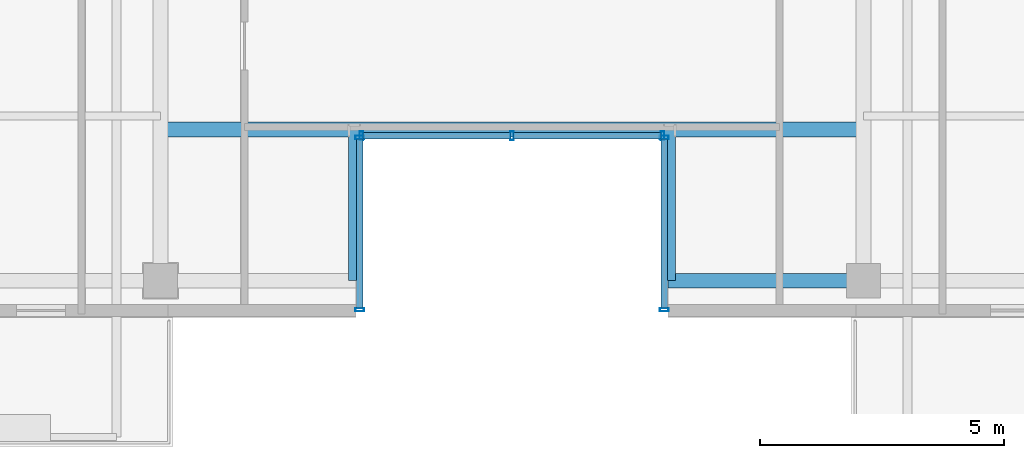
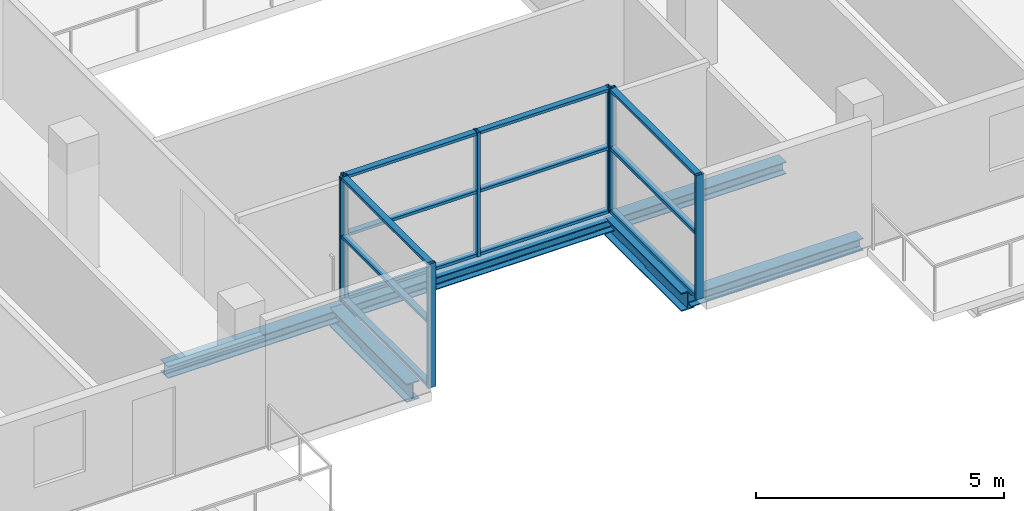
# One storey, part 3 of 24: 19 members, 4 beams, 3 elements without a shape of their own.
"""IFC4 building model written with IfcOpenShell, lengths in metres."""

from ifc_helpers import new_model, si_unit, direction, frame, origin, origin_2d, place, context, subcontext, project, spatial, hollow_rectangle, i_section, extrude, source, transform, mapped, material, layer, layer_set, material_profile, profile_set, type_object, element, aggregate, save


model = new_model("IFC4")

# Units and contexts
model_context = context("Model", 3, precision=1e-05, world=origin(), true_north=direction((0.0, 1.0)))
body_context = subcontext(model_context, "Body", "Model", "MODEL_VIEW")
ifc_project = project(units=[si_unit("LENGTHUNIT", "METRE"), si_unit("AREAUNIT", "SQUARE_METRE"), si_unit("VOLUMEUNIT", "CUBIC_METRE"), si_unit("PLANEANGLEUNIT", "RADIAN"), si_unit("MASSUNIT", "GRAM", prefix="KILO")], contexts=[model_context])

# Site, building, storey
site_placement = place(None, origin())
site = spatial("IfcSite", under=ifc_project, at=site_placement, CompositionType="ELEMENT")
building_placement = place(site_placement, origin())
building = spatial("IfcBuilding", under=site, at=building_placement, Name="Zarnakvel Exchange Tower", CompositionType="ELEMENT")
storey_placement = place(building_placement, frame((0.0, 0.0, 235.300048828125)))
storey = spatial("IfcBuildingStorey", under=building, at=storey_placement, Name="L66", CompositionType="ELEMENT", Elevation=235.300048828125)

# Beams
ifc_material_1 = material(Name="Steel S355", Category="steel")
ifc_material_profile_1 = material_profile(ifc_material_1, i_section(OverallWidth=0.300048828125, OverallDepth=0.449951171875, WebThickness=0.013916015625, FlangeThickness=0.02587890625, FilletRadius=0.027099609375, at=origin_2d()))
ifc_profile_set_1 = profile_set([ifc_material_profile_1], Name="Steel S355")
beam_type_1 = type_object("IfcBeamType", Name="G-07", PredefinedType="BEAM", material=ifc_profile_set_1)
for number, where, z_axis, x_axis, name in (
    (1, (-3.199951171875, -16.35009765625, -0.449951171875), (0.0, 1.0, 0.0), (-1.0, 0.0, 0.0), "L66 South Slot West Cheek Beam"),
    (2, (3.199951171875, -16.35009765625, -0.449951171875), (0.0, 1.0, 0.0), (-1.0, 0.0, 0.0), "L66 South Slot East Cheek Beam"),
):
    element("IfcBeam", number, at=place(storey_placement, frame(where, z_axis=z_axis, x_axis=x_axis)), inside=storey, type_object=beam_type_1, Name=name, PredefinedType="BEAM", context=body_context, shape_type="SweptSolid", body=[
        extrude(i_section(OverallWidth=0.300048828125, OverallDepth=0.449951171875, WebThickness=0.013916015625, FlangeThickness=0.02587890625, FilletRadius=0.027099609375, at=origin_2d()), origin(), (0.0, 0.0, 1.0), 3.10009765625),
    ])
ifc_material_profile_2 = material_profile(ifc_material_1, i_section(OverallWidth=0.300048828125, OverallDepth=0.300048828125, WebThickness=0.010986328125, FlangeThickness=0.01904296875, FilletRadius=0.027099609375, at=origin_2d()))
ifc_profile_set_2 = profile_set([ifc_material_profile_2], Name="Steel S355")
beam_type_2 = type_object("IfcBeamType", Name="SP-03", PredefinedType="SPANDREL", material=ifc_profile_set_2)
beam_1_placement = place(storey_placement, frame((3.199951171875, -16.35009765625, -0.375), z_axis=(1.0, 0.0, 0.0), x_axis=(0.0, 1.0, 0.0)))
element("IfcBeam", 3, at=beam_1_placement, inside=storey, type_object=beam_type_2, Name="L66 South Slot East Jamb Spandrel", PredefinedType="SPANDREL", context=body_context, shape_type="SweptSolid", body=[
    extrude(i_section(OverallWidth=0.300048828125, OverallDepth=0.300048828125, WebThickness=0.010986328125, FlangeThickness=0.01904296875, FilletRadius=0.027099609375, at=origin_2d()), origin(), (0.0, 0.0, 1.0), 4.0),
])
beam_2_placement = place(storey_placement, frame((-7.199951171875, -13.25, -0.375), z_axis=(1.0, 0.0, 0.0), x_axis=(0.0, 1.0, 0.0)))
element("IfcBeam", 4, at=beam_2_placement, inside=storey, type_object=beam_type_2, Name="L66 South Slot Head Trimmer Girder", PredefinedType="SPANDREL", context=body_context, shape_type="SweptSolid", body=[
    extrude(i_section(OverallWidth=0.300048828125, OverallDepth=0.300048828125, WebThickness=0.010986328125, FlangeThickness=0.01904296875, FilletRadius=0.027099609375, at=origin_2d()), origin(), (0.0, 0.0, 1.0), 14.39990234375),
])

# Curtain wall, members
ifc_material_2 = material(Name="Architectural Bronze Anodised Aluminium", Category="aluminium")
ifc_layer = layer(ifc_material_2, 0.179931640625)
ifc_layer_set = layer_set([ifc_layer], Name="Architectural Bronze Anodised Aluminium")
curtain_wall_type = type_object("IfcCurtainWallType", Name="CW-05", PredefinedType="NOTDEFINED", material=ifc_layer_set)
curtain_wall_1_placement = place(storey_placement, origin())
curtain_wall_1 = element("IfcCurtainWall", 5, at=curtain_wall_1_placement, inside=storey, type_object=curtain_wall_type, Name="L66 Curtain Wall CW-L66-SLW (CW-05)", PredefinedType="NOTDEFINED")
ifc_material_profile_3 = material_profile(ifc_material_2, hollow_rectangle(XDim=0.139892578125, YDim=0.070068359375, WallThickness=0.00390625, at=origin_2d()))
ifc_profile_set_3 = profile_set([ifc_material_profile_3], Name="Architectural Bronze Anodised Aluminium")
member_type_1 = type_object("IfcMemberType", Name="CWT-05", PredefinedType="USERDEFINED", material=ifc_profile_set_3)
shared_shape_1 = source(origin(), body_context, "Body", "SweptSolid", [
    extrude(hollow_rectangle(XDim=0.139892578125, YDim=0.070068359375, WallThickness=0.00390625, at=origin_2d()), origin(), (0.0, 0.0, 1.0), 3.4599609375),
])
member_1_placement = place(storey_placement, frame((-3.1201171875, -16.909912109375, 0.034912109375), z_axis=(0.0, 1.0, 0.0), x_axis=(-1.0, 0.0, 0.0)))
member_1 = element("IfcMember", 6, at=member_1_placement, type_object=member_type_1, Name="CW-05 transom 1.1", ObjectType="TRANSOM", PredefinedType="USERDEFINED", context=body_context, shape_type="MappedRepresentation", body=[
    mapped(shared_shape_1, transform((0.0, 0.0, 0.0), x_axis=(1.0, 0.0, 0.0), y_axis=(0.0, 1.0, 0.0), z_axis=(0.0, 0.0, 1.0), scale=1.0)),
])
member_2_placement = place(storey_placement, frame((-3.1201171875, -16.909912109375, 1.588623046875), z_axis=(0.0, 1.0, 0.0), x_axis=(-1.0, 0.0, 0.0)))
member_2 = element("IfcMember", 7, at=member_2_placement, type_object=member_type_1, Name="CW-05 transom 1.2", ObjectType="TRANSOM", PredefinedType="USERDEFINED", context=body_context, shape_type="MappedRepresentation", body=[
    mapped(shared_shape_1, transform((0.0, 0.0, 0.0), x_axis=(1.0, 0.0, 0.0), y_axis=(0.0, 1.0, 0.0), z_axis=(0.0, 0.0, 1.0), scale=1.0)),
])
member_3_placement = place(storey_placement, frame((-3.1201171875, -16.909912109375, 3.02001953125), z_axis=(0.0, 1.0, 0.0), x_axis=(-1.0, 0.0, 0.0)))
member_3 = element("IfcMember", 8, at=member_3_placement, type_object=member_type_1, Name="CW-05 transom 1.3", ObjectType="TRANSOM", PredefinedType="USERDEFINED", context=body_context, shape_type="MappedRepresentation", body=[
    mapped(shared_shape_1, transform((0.0, 0.0, 0.0), x_axis=(1.0, 0.0, 0.0), y_axis=(0.0, 1.0, 0.0), z_axis=(0.0, 0.0, 1.0), scale=1.0)),
])

curtain_wall_2_placement = place(storey_placement, origin())
curtain_wall_2 = element("IfcCurtainWall", 9, at=curtain_wall_2_placement, inside=storey, type_object=curtain_wall_type, Name="L66 Curtain Wall CW-L66-SLE (CW-05)", PredefinedType="NOTDEFINED")
member_4_placement = place(storey_placement, frame((3.1201171875, -13.449951171875, 0.034912109375), z_axis=(0.0, -1.0, 0.0), x_axis=(1.0, 0.0, 0.0)))
member_4 = element("IfcMember", 10, at=member_4_placement, type_object=member_type_1, Name="CW-05 transom 1.1", ObjectType="TRANSOM", PredefinedType="USERDEFINED", context=body_context, shape_type="MappedRepresentation", body=[
    mapped(shared_shape_1, transform((0.0, 0.0, 0.0), x_axis=(1.0, 0.0, 0.0), y_axis=(0.0, 1.0, 0.0), z_axis=(0.0, 0.0, 1.0), scale=1.0)),
])
member_5_placement = place(storey_placement, frame((3.1201171875, -13.449951171875, 1.588623046875), z_axis=(0.0, -1.0, 0.0), x_axis=(1.0, 0.0, 0.0)))
member_5 = element("IfcMember", 11, at=member_5_placement, type_object=member_type_1, Name="CW-05 transom 1.2", ObjectType="TRANSOM", PredefinedType="USERDEFINED", context=body_context, shape_type="MappedRepresentation", body=[
    mapped(shared_shape_1, transform((0.0, 0.0, 0.0), x_axis=(1.0, 0.0, 0.0), y_axis=(0.0, 1.0, 0.0), z_axis=(0.0, 0.0, 1.0), scale=1.0)),
])
member_6_placement = place(storey_placement, frame((3.1201171875, -13.449951171875, 3.02001953125), z_axis=(0.0, -1.0, 0.0), x_axis=(1.0, 0.0, 0.0)))
member_6 = element("IfcMember", 12, at=member_6_placement, type_object=member_type_1, Name="CW-05 transom 1.3", ObjectType="TRANSOM", PredefinedType="USERDEFINED", context=body_context, shape_type="MappedRepresentation", body=[
    mapped(shared_shape_1, transform((0.0, 0.0, 0.0), x_axis=(1.0, 0.0, 0.0), y_axis=(0.0, 1.0, 0.0), z_axis=(0.0, 0.0, 1.0), scale=1.0)),
])

curtain_wall_3_placement = place(storey_placement, origin())
curtain_wall_3 = element("IfcCurtainWall", 13, at=curtain_wall_3_placement, inside=storey, type_object=curtain_wall_type, Name="L66 Curtain Wall CW-L66-SLB (CW-05)", PredefinedType="NOTDEFINED")
shared_shape_2 = source(origin(), body_context, "Body", "SweptSolid", [
    extrude(hollow_rectangle(XDim=0.139892578125, YDim=0.070068359375, WallThickness=0.00390625, at=origin_2d()), origin(), (0.0, 0.0, 1.0), 3.01513671875),
])
member_7_placement = place(storey_placement, frame((-3.050048828125, -13.3798828125, 0.034912109375), z_axis=(1.0, 0.0, 0.0), x_axis=(0.0, 1.0, 0.0)))
member_7 = element("IfcMember", 14, at=member_7_placement, type_object=member_type_1, Name="CW-05 transom 1.1", ObjectType="TRANSOM", PredefinedType="USERDEFINED", context=body_context, shape_type="MappedRepresentation", body=[
    mapped(shared_shape_2, transform((0.0, 0.0, 0.0), x_axis=(1.0, 0.0, 0.0), y_axis=(0.0, 1.0, 0.0), z_axis=(0.0, 0.0, 1.0), scale=1.0)),
])
member_8_placement = place(storey_placement, frame((-3.050048828125, -13.3798828125, 1.588623046875), z_axis=(1.0, 0.0, 0.0), x_axis=(0.0, 1.0, 0.0)))
member_8 = element("IfcMember", 15, at=member_8_placement, type_object=member_type_1, Name="CW-05 transom 1.2", ObjectType="TRANSOM", PredefinedType="USERDEFINED", context=body_context, shape_type="MappedRepresentation", body=[
    mapped(shared_shape_2, transform((0.0, 0.0, 0.0), x_axis=(1.0, 0.0, 0.0), y_axis=(0.0, 1.0, 0.0), z_axis=(0.0, 0.0, 1.0), scale=1.0)),
])
member_9_placement = place(storey_placement, frame((-3.050048828125, -13.3798828125, 3.02001953125), z_axis=(1.0, 0.0, 0.0), x_axis=(0.0, 1.0, 0.0)))
member_9 = element("IfcMember", 16, at=member_9_placement, type_object=member_type_1, Name="CW-05 transom 1.3", ObjectType="TRANSOM", PredefinedType="USERDEFINED", context=body_context, shape_type="MappedRepresentation", body=[
    mapped(shared_shape_2, transform((0.0, 0.0, 0.0), x_axis=(1.0, 0.0, 0.0), y_axis=(0.0, 1.0, 0.0), z_axis=(0.0, 0.0, 1.0), scale=1.0)),
])
member_10_placement = place(storey_placement, frame((0.034912109375, -13.3798828125, 0.034912109375), z_axis=(1.0, 0.0, 0.0), x_axis=(0.0, 1.0, 0.0)))
member_10 = element("IfcMember", 17, at=member_10_placement, type_object=member_type_1, Name="CW-05 transom 2.1", ObjectType="TRANSOM", PredefinedType="USERDEFINED", context=body_context, shape_type="MappedRepresentation", body=[
    mapped(shared_shape_2, transform((0.0, 0.0, 0.0), x_axis=(1.0, 0.0, 0.0), y_axis=(0.0, 1.0, 0.0), z_axis=(0.0, 0.0, 1.0), scale=1.0)),
])
member_11_placement = place(storey_placement, frame((0.034912109375, -13.3798828125, 1.588623046875), z_axis=(1.0, 0.0, 0.0), x_axis=(0.0, 1.0, 0.0)))
member_11 = element("IfcMember", 18, at=member_11_placement, type_object=member_type_1, Name="CW-05 transom 2.2", ObjectType="TRANSOM", PredefinedType="USERDEFINED", context=body_context, shape_type="MappedRepresentation", body=[
    mapped(shared_shape_2, transform((0.0, 0.0, 0.0), x_axis=(1.0, 0.0, 0.0), y_axis=(0.0, 1.0, 0.0), z_axis=(0.0, 0.0, 1.0), scale=1.0)),
])
member_12_placement = place(storey_placement, frame((0.034912109375, -13.3798828125, 3.02001953125), z_axis=(1.0, 0.0, 0.0), x_axis=(0.0, 1.0, 0.0)))
member_12 = element("IfcMember", 19, at=member_12_placement, type_object=member_type_1, Name="CW-05 transom 2.3", ObjectType="TRANSOM", PredefinedType="USERDEFINED", context=body_context, shape_type="MappedRepresentation", body=[
    mapped(shared_shape_2, transform((0.0, 0.0, 0.0), x_axis=(1.0, 0.0, 0.0), y_axis=(0.0, 1.0, 0.0), z_axis=(0.0, 0.0, 1.0), scale=1.0)),
])

# Member
ifc_material_profile_4 = material_profile(ifc_material_2, hollow_rectangle(XDim=0.179931640625, YDim=0.070068359375, WallThickness=0.00390625, at=origin_2d()))
ifc_profile_set_4 = profile_set([ifc_material_profile_4], Name="Architectural Bronze Anodised Aluminium")
member_type_2 = type_object("IfcMemberType", Name="CWM-05", PredefinedType="MULLION", material=ifc_profile_set_4)
shared_shape_3 = source(origin(), body_context, "Body", "SweptSolid", [
    extrude(hollow_rectangle(XDim=0.179931640625, YDim=0.070068359375, WallThickness=0.00390625, at=origin_2d()), origin(), (0.0, 0.0, 1.0), 3.054931640625),
])
member_13_placement = place(storey_placement, frame((-3.1201171875, -16.945068359375, 0.0), z_axis=(0.0, 0.0, 1.0), x_axis=(-1.0, 0.0, 0.0)))
member_13 = element("IfcMember", 20, at=member_13_placement, type_object=member_type_2, Name="CW-05 mullion 1", PredefinedType="MULLION", context=body_context, shape_type="MappedRepresentation", body=[
    mapped(shared_shape_3, transform((0.0, 0.0, 0.0), x_axis=(1.0, 0.0, 0.0), y_axis=(0.0, 1.0, 0.0), z_axis=(0.0, 0.0, 1.0), scale=1.0)),
])

member_14_placement = place(storey_placement, frame((-3.1201171875, -13.4150390625, 0.0), z_axis=(0.0, 0.0, 1.0), x_axis=(-1.0, 0.0, 0.0)))
member_14 = element("IfcMember", 21, at=member_14_placement, type_object=member_type_2, Name="CW-05 mullion 2", PredefinedType="MULLION", context=body_context, shape_type="MappedRepresentation", body=[
    mapped(shared_shape_3, transform((0.0, 0.0, 0.0), x_axis=(1.0, 0.0, 0.0), y_axis=(0.0, 1.0, 0.0), z_axis=(0.0, 0.0, 1.0), scale=1.0)),
])

aggregate(curtain_wall_1, [member_13, member_14, member_1, member_2, member_3])

member_15_placement = place(storey_placement, frame((-3.0849609375, -13.3798828125, 0.0), z_axis=(0.0, 0.0, 1.0), x_axis=(0.0, 1.0, 0.0)))
member_15 = element("IfcMember", 22, at=member_15_placement, type_object=member_type_2, Name="CW-05 mullion 1", PredefinedType="MULLION", context=body_context, shape_type="MappedRepresentation", body=[
    mapped(shared_shape_3, transform((0.0, 0.0, 0.0), x_axis=(1.0, 0.0, 0.0), y_axis=(0.0, 1.0, 0.0), z_axis=(0.0, 0.0, 1.0), scale=1.0)),
])

member_16_placement = place(storey_placement, frame((0.0, -13.3798828125, 0.0), z_axis=(0.0, 0.0, 1.0), x_axis=(0.0, 1.0, 0.0)))
member_16 = element("IfcMember", 23, at=member_16_placement, type_object=member_type_2, Name="CW-05 mullion 2", PredefinedType="MULLION", context=body_context, shape_type="MappedRepresentation", body=[
    mapped(shared_shape_3, transform((0.0, 0.0, 0.0), x_axis=(1.0, 0.0, 0.0), y_axis=(0.0, 1.0, 0.0), z_axis=(0.0, 0.0, 1.0), scale=1.0)),
])

member_17_placement = place(storey_placement, frame((3.0849609375, -13.3798828125, 0.0), z_axis=(0.0, 0.0, 1.0), x_axis=(0.0, 1.0, 0.0)))
member_17 = element("IfcMember", 24, at=member_17_placement, type_object=member_type_2, Name="CW-05 mullion 3", PredefinedType="MULLION", context=body_context, shape_type="MappedRepresentation", body=[
    mapped(shared_shape_3, transform((0.0, 0.0, 0.0), x_axis=(1.0, 0.0, 0.0), y_axis=(0.0, 1.0, 0.0), z_axis=(0.0, 0.0, 1.0), scale=1.0)),
])

aggregate(curtain_wall_3, [member_15, member_16, member_17, member_7, member_8, member_9, member_10, member_11, member_12])

member_18_placement = place(storey_placement, frame((3.1201171875, -13.4150390625, 0.0), z_axis=(0.0, 0.0, 1.0), x_axis=(1.0, 0.0, 0.0)))
member_18 = element("IfcMember", 25, at=member_18_placement, type_object=member_type_2, Name="CW-05 mullion 1", PredefinedType="MULLION", context=body_context, shape_type="MappedRepresentation", body=[
    mapped(shared_shape_3, transform((0.0, 0.0, 0.0), x_axis=(1.0, 0.0, 0.0), y_axis=(0.0, 1.0, 0.0), z_axis=(0.0, 0.0, 1.0), scale=1.0)),
])

member_19_placement = place(storey_placement, frame((3.1201171875, -16.945068359375, 0.0), z_axis=(0.0, 0.0, 1.0), x_axis=(1.0, 0.0, 0.0)))
member_19 = element("IfcMember", 26, at=member_19_placement, type_object=member_type_2, Name="CW-05 mullion 2", PredefinedType="MULLION", context=body_context, shape_type="MappedRepresentation", body=[
    mapped(shared_shape_3, transform((0.0, 0.0, 0.0), x_axis=(1.0, 0.0, 0.0), y_axis=(0.0, 1.0, 0.0), z_axis=(0.0, 0.0, 1.0), scale=1.0)),
])

aggregate(curtain_wall_2, [member_18, member_19, member_4, member_5, member_6])

save(model, "model.ifc")
